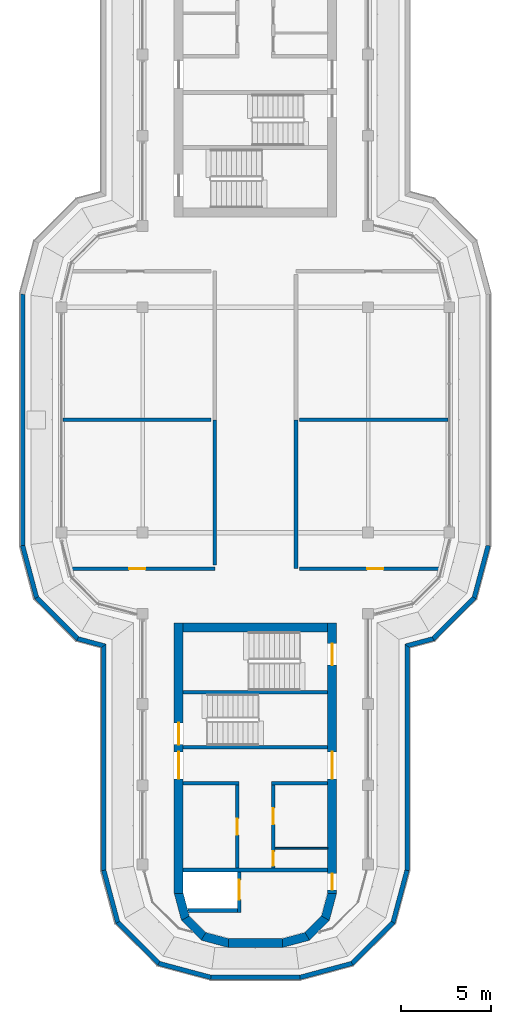
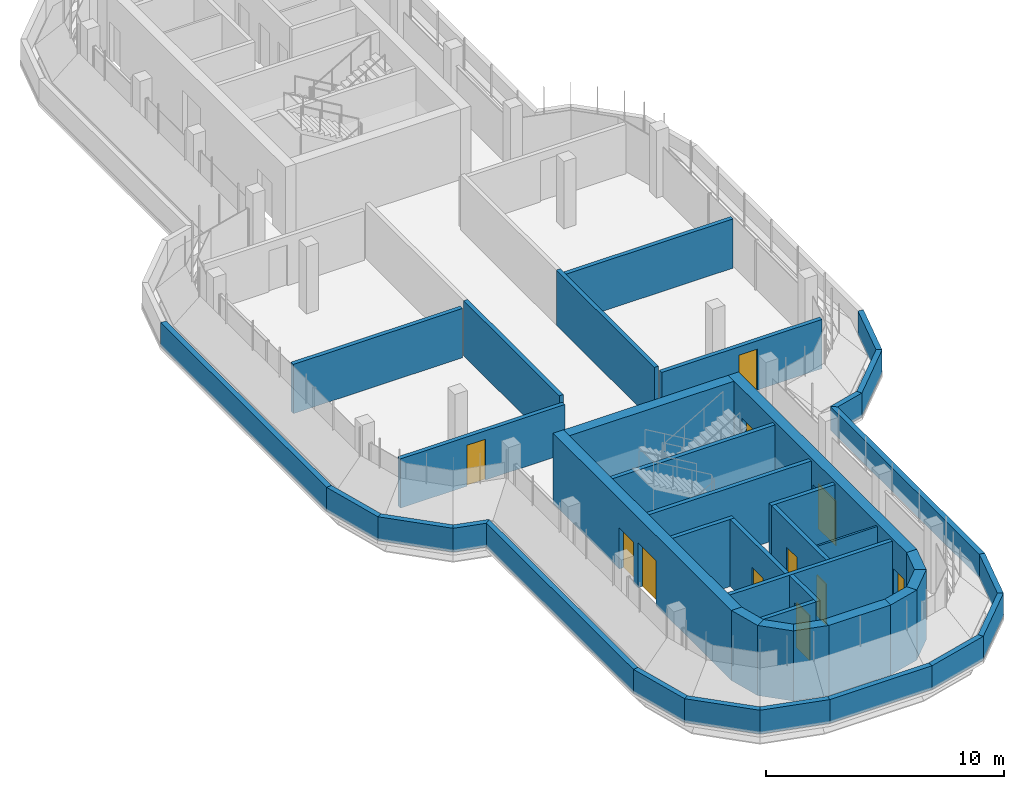
# One storey, part 8 of 13: 42 walls, 11 doors, 11 openings.
"""IFC4 building model written with IfcOpenShell, lengths in metres."""

from ifc_helpers import new_model, si_unit, direction, frame, frame_2d, origin, place, context, subcontext, project, spatial, polyline, rectangle, outline, extrude, material, layer, layer_set, type_object, element, fill, save


model = new_model("IFC4")

# Units and contexts
model_context = context("Model", 3, precision=1e-05, world=origin(), true_north=direction((0.0, 1.0)))
body_context = subcontext(model_context, "Body", "Model", "MODEL_VIEW")
ifc_project = project(units=[si_unit("LENGTHUNIT", "METRE"), si_unit("AREAUNIT", "SQUARE_METRE"), si_unit("VOLUMEUNIT", "CUBIC_METRE"), si_unit("PLANEANGLEUNIT", "RADIAN"), si_unit("MASSUNIT", "GRAM", prefix="KILO")], contexts=[model_context])

# Site, building, storey
site_placement = place(None, origin())
site = spatial("IfcSite", under=ifc_project, at=site_placement, CompositionType="ELEMENT")
building_placement = place(site_placement, origin())
building = spatial("IfcBuilding", under=site, at=building_placement, Name="Zarbagh Exchange Tower", CompositionType="ELEMENT")
storey_placement = place(building_placement, frame((0.0, 0.0, 302.39990234375)))
storey = spatial("IfcBuildingStorey", under=building, at=storey_placement, Name="L74", CompositionType="ELEMENT", Elevation=302.39990234375)

# Walls
ifc_material_1 = material(Name="Dense blockwork", Category="masonry")
ifc_layer_1 = layer(ifc_material_1, 0.10009765625)
ifc_layer_set_1 = layer_set([ifc_layer_1], Name="Core partition 100 mm blockwork")
wall_type_1 = type_object("IfcWallType", Name="Core partition 100 mm blockwork", PredefinedType="PARTITIONING", material=ifc_layer_set_1)
wall_1_placement = place(storey_placement, frame((4.0, -23.75, 0.0), z_axis=(0.0, 0.0, 1.0), x_axis=(-1.0, 0.0, 0.0)))
element("IfcWall", 1, at=wall_1_placement, inside=storey, type_object=wall_type_1, Name="South core partition wall CUT-W-460", PredefinedType="PARTITIONING", context=body_context, shape_type="SweptSolid", body=[
    extrude(rectangle(XDim=2.89990234375, YDim=0.10009765625, at=frame_2d((1.449951171875, 0.0))), origin(), (0.0, 0.0, 1.0), 3.4501953125),
])
ifc_material_2 = material(Name="Concrete block partition", Category="concrete")
ifc_layer_2 = layer(ifc_material_2, 0.199951171875)
ifc_layer_set_2 = layer_set([ifc_layer_2], Name="Fire-rated block partition 200 EI 60")
wall_type_2 = type_object("IfcWallType", Name="Fire-rated block partition 200 EI 60", PredefinedType="PARTITIONING", material=ifc_layer_set_2)
wall_2_placement = place(storey_placement, frame((2.25, 0.0, 0.0), z_axis=(0.0, 0.0, 1.0), x_axis=(0.0, -1.0, 0.0)))
element("IfcWall", 2, at=wall_2_placement, inside=storey, type_object=wall_type_2, Name="WL-L74-W003", PredefinedType="PARTITIONING", context=body_context, shape_type="SweptSolid", body=[
    extrude(rectangle(XDim=8.25, YDim=0.199951171875, at=frame_2d((4.125, 0.0))), origin(), (0.0, 0.0, 1.0), 2.828125),
])

# Wall, opening, door
wall_3_placement = place(storey_placement, frame((2.449951171875, -8.25, 0.0), z_axis=(0.0, 0.0, 1.0), x_axis=(1.0, 0.0, 0.0)))
wall_3 = element("IfcWall", 3, at=wall_3_placement, inside=storey, type_object=wall_type_2, Name="WL-L74-W004", PredefinedType="PARTITIONING", context=body_context, shape_type="SweptSolid", body=[
    extrude(rectangle(XDim=7.7880859375, YDim=0.199951171875, at=frame_2d((3.89404296875, 0.0))), origin(), (0.0, 0.0, 1.0), 2.530029296875),
])
opening_1_placement = place(wall_3_placement, frame((3.7490234375, 0.0, 0.0)))
opening_1 = element("IfcOpeningElement", 4, at=opening_1_placement, cuts=wall_3, Name="Opening D02", PredefinedType="OPENING", context=body_context, shape_type="SweptSolid", body=[
    extrude(rectangle(XDim=0.89990234375, YDim=2.10009765625, at=frame_2d((0.449951171875, 1.050048828125))), frame((0.0, 0.10986328125, 0.0), z_axis=(0.0, -1.0, 0.0), x_axis=(1.0, 0.0, 0.0)), (0.0, 0.0, 1.0), 0.219970703125),
])
ifc_material_3 = material(Name="Steel door set", Category="steel")
door_type_1 = type_object("IfcDoorType", Name="Door single 900x2100 EI 60", OperationType="SINGLE_SWING_LEFT", PredefinedType="DOOR", material=ifc_material_3)
door_1_placement = place(opening_1_placement, origin())
door_1 = element("IfcDoor", 5, at=door_1_placement, inside=storey, type_object=door_type_1, Name="D02", OperationType="SINGLE_SWING_LEFT", OverallHeight=2.10009765625, OverallWidth=0.89990234375, PredefinedType="DOOR", context=body_context, shape_type="SweptSolid", body=[
    extrude(rectangle(XDim=0.89990234375, YDim=2.10009765625, at=frame_2d((0.449951171875, 1.050048828125))), frame((0.0, 0.02490234375, 0.0), z_axis=(0.0, -1.0, 0.0), x_axis=(1.0, 0.0, 0.0)), (0.0, 0.0, 1.0), 0.050048828125),
])
fill(opening_1, door_1)

wall_4_placement = place(storey_placement, frame((-10.238037109375, -8.25, 0.0), z_axis=(0.0, 0.0, 1.0), x_axis=(1.0, 0.0, 0.0)))
wall_4 = element("IfcWall", 6, at=wall_4_placement, inside=storey, type_object=wall_type_2, Name="WL-L74-W007", PredefinedType="PARTITIONING", context=body_context, shape_type="SweptSolid", body=[
    extrude(rectangle(XDim=7.988037109375, YDim=0.199951171875, at=frame_2d((3.994140625, 0.0))), origin(), (0.0, 0.0, 1.0), 2.530029296875),
])
opening_2_placement = place(wall_4_placement, frame((3.239013671875, 0.0, 0.0)))
opening_2 = element("IfcOpeningElement", 7, at=opening_2_placement, cuts=wall_4, Name="Opening D04", PredefinedType="OPENING", context=body_context, shape_type="SweptSolid", body=[
    extrude(rectangle(XDim=0.89990234375, YDim=2.10009765625, at=frame_2d((0.449951171875, 1.050048828125))), frame((0.0, 0.10986328125, 0.0), z_axis=(0.0, -1.0, 0.0), x_axis=(1.0, 0.0, 0.0)), (0.0, 0.0, 1.0), 0.219970703125),
])
door_2_placement = place(opening_2_placement, origin())
door_2 = element("IfcDoor", 8, at=door_2_placement, inside=storey, type_object=door_type_1, Name="D04", OperationType="SINGLE_SWING_LEFT", OverallHeight=2.10009765625, OverallWidth=0.89990234375, PredefinedType="DOOR", context=body_context, shape_type="SweptSolid", body=[
    extrude(rectangle(XDim=0.89990234375, YDim=2.10009765625, at=frame_2d((0.449951171875, 1.050048828125))), frame((0.0, 0.02490234375, 0.0), z_axis=(0.0, -1.0, 0.0), x_axis=(1.0, 0.0, 0.0)), (0.0, 0.0, 1.0), 0.050048828125),
])
fill(opening_2, door_2)

# Walls
wall_5_placement = place(storey_placement, frame((-2.25, -8.050048828125, 0.0), z_axis=(0.0, 0.0, 1.0), x_axis=(0.0, 1.0, 0.0)))
element("IfcWall", 9, at=wall_5_placement, inside=storey, type_object=wall_type_2, Name="WL-L74-W008", PredefinedType="PARTITIONING", context=body_context, shape_type="SweptSolid", body=[
    extrude(rectangle(XDim=8.050048828125, YDim=0.199951171875, at=frame_2d((4.02490234375, 0.0))), origin(), (0.0, 0.0, 1.0), 2.828125),
])
for number, where, z_axis, x_axis, name in (
    (10, (10.669921875, 0.0, 0.0), (0.0, 0.0, 1.0), (-1.0, 0.0, 0.0), "WL-L74-W009"),
    (11, (-2.449951171875, 0.0, 0.0), (0.0, 0.0, 1.0), (-1.0, 0.0, 0.0), "WL-L74-W010"),
):
    element("IfcWall", number, at=place(storey_placement, frame(where, z_axis=z_axis, x_axis=x_axis)), inside=storey, type_object=wall_type_2, Name=name, PredefinedType="PARTITIONING", context=body_context, shape_type="SweptSolid", body=[
        extrude(rectangle(XDim=8.219970703125, YDim=0.199951171875, at=frame_2d((4.10986328125, 0.0))), origin(), (0.0, 0.0, 1.0), 2.530029296875),
    ])
ifc_material_4 = material(Name="Concrete C40/50", Category="concrete")
ifc_layer_3 = layer(ifc_material_4, 0.25)
ifc_layer_set_3 = layer_set([ifc_layer_3], Name="Parapet wall, concrete C40/50")
wall_type_3 = type_object("IfcWallType", Name="Parapet wall, concrete C40/50", PredefinedType="PARAPET", material=ifc_layer_set_3)
wall_6_placement = place(storey_placement, origin())
element("IfcWall", 12, at=wall_6_placement, inside=storey, type_object=wall_type_3, Name="roof parapet", PredefinedType="PARAPET", context=body_context, shape_type="SweptSolid", body=[
    extrude(outline(polyline([(-2.484375, -31.030029296875), (-5.42138671875, -30.242919921875), (-5.2919921875, -30.018798828125), (-2.451416015625, -30.780029296875), (-2.484375, -31.030029296875)])), origin(), (0.0, 0.0, 1.0), 1.22021484375),
])
wall_7_placement = place(storey_placement, origin())
element("IfcWall", 13, at=wall_7_placement, inside=storey, type_object=wall_type_3, Name="roof parapet", PredefinedType="PARAPET", context=body_context, shape_type="SweptSolid", body=[
    extrude(outline(polyline([(-5.42138671875, -30.242919921875), (-7.742919921875, -27.92138671875), (-7.518798828125, -27.7919921875), (-5.2919921875, -30.018798828125), (-5.42138671875, -30.242919921875)])), origin(), (0.0, 0.0, 1.0), 1.22021484375),
])
wall_8_placement = place(storey_placement, origin())
element("IfcWall", 14, at=wall_8_placement, inside=storey, type_object=wall_type_3, Name="roof parapet", PredefinedType="PARAPET", context=body_context, shape_type="SweptSolid", body=[
    extrude(outline(polyline([(-7.742919921875, -27.92138671875), (-8.530029296875, -24.984375), (-8.280029296875, -24.951416015625), (-7.518798828125, -27.7919921875), (-7.742919921875, -27.92138671875)])), origin(), (0.0, 0.0, 1.0), 1.22021484375),
])
wall_9_placement = place(storey_placement, origin())
element("IfcWall", 15, at=wall_9_placement, inside=storey, type_object=wall_type_3, Name="roof parapet", PredefinedType="PARAPET", context=body_context, shape_type="SweptSolid", body=[
    extrude(outline(polyline([(-8.530029296875, -24.984375), (-8.530029296875, -12.61572265625), (-8.280029296875, -12.424072265625), (-8.280029296875, -24.951416015625), (-8.530029296875, -24.984375)])), origin(), (0.0, 0.0, 1.0), 1.22021484375),
])
wall_10_placement = place(storey_placement, origin())
element("IfcWall", 16, at=wall_10_placement, inside=storey, type_object=wall_type_3, Name="roof parapet", PredefinedType="PARAPET", context=body_context, shape_type="SweptSolid", body=[
    extrude(outline(polyline([(-8.530029296875, -12.61572265625), (-9.92138671875, -12.242919921875), (-9.7919921875, -12.018798828125), (-8.280029296875, -12.424072265625), (-8.530029296875, -12.61572265625)])), origin(), (0.0, 0.0, 1.0), 1.22021484375),
])
wall_11_placement = place(storey_placement, origin())
element("IfcWall", 17, at=wall_11_placement, inside=storey, type_object=wall_type_3, Name="roof parapet", PredefinedType="PARAPET", context=body_context, shape_type="SweptSolid", body=[
    extrude(outline(polyline([(-9.92138671875, -12.242919921875), (-12.242919921875, -9.92138671875), (-12.018798828125, -9.7919921875), (-9.7919921875, -12.018798828125), (-9.92138671875, -12.242919921875)])), origin(), (0.0, 0.0, 1.0), 1.22021484375),
])
wall_12_placement = place(storey_placement, origin())
element("IfcWall", 18, at=wall_12_placement, inside=storey, type_object=wall_type_3, Name="roof parapet", PredefinedType="PARAPET", context=body_context, shape_type="SweptSolid", body=[
    extrude(outline(polyline([(-12.242919921875, -9.92138671875), (-13.030029296875, -6.984375), (-12.780029296875, -6.951416015625), (-12.018798828125, -9.7919921875), (-12.242919921875, -9.92138671875)])), origin(), (0.0, 0.0, 1.0), 1.22021484375),
])
wall_13_placement = place(storey_placement, origin())
element("IfcWall", 19, at=wall_13_placement, inside=storey, type_object=wall_type_3, Name="roof parapet", PredefinedType="PARAPET", context=body_context, shape_type="SweptSolid", body=[
    extrude(outline(polyline([(-13.030029296875, -6.984375), (-13.030029296875, 6.984375), (-12.780029296875, 6.951416015625), (-12.780029296875, -6.951416015625), (-13.030029296875, -6.984375)])), origin(), (0.0, 0.0, 1.0), 1.22021484375),
])
wall_14_placement = place(storey_placement, origin())
element("IfcWall", 20, at=wall_14_placement, inside=storey, type_object=wall_type_3, Name="roof parapet", PredefinedType="PARAPET", context=body_context, shape_type="SweptSolid", body=[
    extrude(outline(polyline([(13.030029296875, -6.984375), (12.242919921875, -9.92138671875), (12.018798828125, -9.7919921875), (12.780029296875, -6.951416015625), (13.030029296875, -6.984375)])), origin(), (0.0, 0.0, 1.0), 1.22021484375),
])
wall_15_placement = place(storey_placement, origin())
element("IfcWall", 21, at=wall_15_placement, inside=storey, type_object=wall_type_3, Name="roof parapet", PredefinedType="PARAPET", context=body_context, shape_type="SweptSolid", body=[
    extrude(outline(polyline([(12.242919921875, -9.92138671875), (9.92138671875, -12.242919921875), (9.7919921875, -12.018798828125), (12.018798828125, -9.7919921875), (12.242919921875, -9.92138671875)])), origin(), (0.0, 0.0, 1.0), 1.22021484375),
])
wall_16_placement = place(storey_placement, origin())
element("IfcWall", 22, at=wall_16_placement, inside=storey, type_object=wall_type_3, Name="roof parapet", PredefinedType="PARAPET", context=body_context, shape_type="SweptSolid", body=[
    extrude(outline(polyline([(9.92138671875, -12.242919921875), (8.530029296875, -12.61572265625), (8.280029296875, -12.424072265625), (9.7919921875, -12.018798828125), (9.92138671875, -12.242919921875)])), origin(), (0.0, 0.0, 1.0), 1.22021484375),
])
wall_17_placement = place(storey_placement, origin())
element("IfcWall", 23, at=wall_17_placement, inside=storey, type_object=wall_type_3, Name="roof parapet", PredefinedType="PARAPET", context=body_context, shape_type="SweptSolid", body=[
    extrude(outline(polyline([(8.530029296875, -12.61572265625), (8.530029296875, -24.984375), (8.280029296875, -24.951416015625), (8.280029296875, -12.424072265625), (8.530029296875, -12.61572265625)])), origin(), (0.0, 0.0, 1.0), 1.22021484375),
])
wall_18_placement = place(storey_placement, origin())
element("IfcWall", 24, at=wall_18_placement, inside=storey, type_object=wall_type_3, Name="roof parapet", PredefinedType="PARAPET", context=body_context, shape_type="SweptSolid", body=[
    extrude(outline(polyline([(8.530029296875, -24.984375), (7.742919921875, -27.92138671875), (7.518798828125, -27.7919921875), (8.280029296875, -24.951416015625), (8.530029296875, -24.984375)])), origin(), (0.0, 0.0, 1.0), 1.22021484375),
])
wall_19_placement = place(storey_placement, origin())
element("IfcWall", 25, at=wall_19_placement, inside=storey, type_object=wall_type_3, Name="roof parapet", PredefinedType="PARAPET", context=body_context, shape_type="SweptSolid", body=[
    extrude(outline(polyline([(7.742919921875, -27.92138671875), (5.42138671875, -30.242919921875), (5.2919921875, -30.018798828125), (7.518798828125, -27.7919921875), (7.742919921875, -27.92138671875)])), origin(), (0.0, 0.0, 1.0), 1.22021484375),
])
wall_20_placement = place(storey_placement, origin())
element("IfcWall", 26, at=wall_20_placement, inside=storey, type_object=wall_type_3, Name="roof parapet", PredefinedType="PARAPET", context=body_context, shape_type="SweptSolid", body=[
    extrude(outline(polyline([(5.42138671875, -30.242919921875), (2.484375, -31.030029296875), (2.451416015625, -30.780029296875), (5.2919921875, -30.018798828125), (5.42138671875, -30.242919921875)])), origin(), (0.0, 0.0, 1.0), 1.22021484375),
])
wall_21_placement = place(storey_placement, origin())
element("IfcWall", 27, at=wall_21_placement, inside=storey, type_object=wall_type_3, Name="roof parapet", PredefinedType="PARAPET", context=body_context, shape_type="SweptSolid", body=[
    extrude(outline(polyline([(2.484375, -31.030029296875), (-2.484375, -31.030029296875), (-2.451416015625, -30.780029296875), (2.451416015625, -30.780029296875), (2.484375, -31.030029296875)])), origin(), (0.0, 0.0, 1.0), 1.22021484375),
])
ifc_layer_4 = layer(ifc_material_4, 0.5)
ifc_layer_set_4 = layer_set([ifc_layer_4], Name="RC core corner wall 500 C40/50")
wall_type_4 = type_object("IfcWallType", Name="RC core corner wall 500 C40/50", PredefinedType="SHEAR", material=ifc_layer_set_4)
wall_22_placement = place(storey_placement, origin())
element("IfcWall", 28, at=wall_22_placement, inside=storey, type_object=wall_type_4, Name="CW10 core S corner W", PredefinedType="SHEAR", context=body_context, shape_type="SweptSolid", body=[
    extrude(outline(polyline([(-4.5, -26.25), (-4.09814453125, -27.75), (-3.6650390625, -27.5), (-4.0, -26.25), (-4.5, -26.25)])), origin(), (0.0, 0.0, 1.0), 3.60009765625),
])
wall_23_placement = place(storey_placement, origin())
element("IfcWall", 29, at=wall_23_placement, inside=storey, type_object=wall_type_4, Name="CW10 core S corner W", PredefinedType="SHEAR", context=body_context, shape_type="SweptSolid", body=[
    extrude(outline(polyline([(-4.09814453125, -27.75), (-3.0, -28.84814453125), (-2.75, -28.4150390625), (-3.6650390625, -27.5), (-4.09814453125, -27.75)])), origin(), (0.0, 0.0, 1.0), 3.60009765625),
])
wall_24_placement = place(storey_placement, origin())
element("IfcWall", 30, at=wall_24_placement, inside=storey, type_object=wall_type_4, Name="CW10 core S corner W", PredefinedType="SHEAR", context=body_context, shape_type="SweptSolid", body=[
    extrude(outline(polyline([(-3.0, -28.84814453125), (-1.5, -29.25), (-1.5, -28.75), (-2.75, -28.4150390625), (-3.0, -28.84814453125)])), origin(), (0.0, 0.0, 1.0), 3.60009765625),
])
wall_25_placement = place(storey_placement, origin())
element("IfcWall", 31, at=wall_25_placement, inside=storey, type_object=wall_type_4, Name="CW10 core S corner E", PredefinedType="SHEAR", context=body_context, shape_type="SweptSolid", body=[
    extrude(outline(polyline([(4.5, -26.25), (4.09814453125, -27.75), (3.6650390625, -27.5), (4.0, -26.25), (4.5, -26.25)])), origin(), (0.0, 0.0, 1.0), 3.60009765625),
])
wall_26_placement = place(storey_placement, origin())
element("IfcWall", 32, at=wall_26_placement, inside=storey, type_object=wall_type_4, Name="CW10 core S corner E", PredefinedType="SHEAR", context=body_context, shape_type="SweptSolid", body=[
    extrude(outline(polyline([(4.09814453125, -27.75), (3.0, -28.84814453125), (2.75, -28.4150390625), (3.6650390625, -27.5), (4.09814453125, -27.75)])), origin(), (0.0, 0.0, 1.0), 3.60009765625),
])
wall_27_placement = place(storey_placement, origin())
element("IfcWall", 33, at=wall_27_placement, inside=storey, type_object=wall_type_4, Name="CW10 core S corner E", PredefinedType="SHEAR", context=body_context, shape_type="SweptSolid", body=[
    extrude(outline(polyline([(3.0, -28.84814453125), (1.5, -29.25), (1.5, -28.75), (2.75, -28.4150390625), (3.0, -28.84814453125)])), origin(), (0.0, 0.0, 1.0), 3.60009765625),
])

# Wall, openings, doors
ifc_layer_5 = layer(ifc_material_4, 0.5)
ifc_layer_set_5 = layer_set([ifc_layer_5], Name="RC core wall 500 C40/50")
wall_type_5 = type_object("IfcWallType", Name="RC core wall 500 C40/50", PredefinedType="SHEAR", material=ifc_layer_set_5)
wall_28_placement = place(storey_placement, frame((-4.25, -11.25, 0.0), z_axis=(0.0, 0.0, 1.0), x_axis=(0.0, -1.0, 0.0)))
wall_28 = element("IfcWall", 34, at=wall_28_placement, inside=storey, type_object=wall_type_5, Name="CW9 core S W", PredefinedType="SHEAR", context=body_context, shape_type="SweptSolid", body=[
    extrude(rectangle(XDim=15.0, YDim=0.5, at=frame_2d((7.5, 0.0))), origin(), (0.0, 0.0, 1.0), 3.60009765625),
])
opening_3_placement = place(wall_28_placement, frame((7.14990234375, 0.0, 0.0)))
opening_3 = element("IfcOpeningElement", 35, at=opening_3_placement, cuts=wall_28, Name="Opening CD1-1500", PredefinedType="OPENING", context=body_context, shape_type="SweptSolid", body=[
    extrude(rectangle(XDim=1.5, YDim=2.300048828125, at=frame_2d((0.75, 1.14990234375))), frame((0.0, 0.260009765625, 0.0), z_axis=(0.0, -1.0, 0.0), x_axis=(1.0, 0.0, 0.0)), (0.0, 0.0, 1.0), 0.52001953125),
])
opening_4_placement = place(wall_28_placement, frame((5.550048828125, 0.0, 0.0)))
opening_4 = element("IfcOpeningElement", 36, at=opening_4_placement, cuts=wall_28, Name="Opening SD1-1200", PredefinedType="OPENING", context=body_context, shape_type="SweptSolid", body=[
    extrude(rectangle(XDim=1.199951171875, YDim=2.10009765625, at=frame_2d((0.60009765625, 1.050048828125))), frame((0.0, 0.260009765625, 0.0), z_axis=(0.0, -1.0, 0.0), x_axis=(1.0, 0.0, 0.0)), (0.0, 0.0, 1.0), 0.52001953125),
])
ifc_material_5 = material(Name="Steel", Category="steel")
door_type_2 = type_object("IfcDoorType", Name="Exit stair door 1200 x 2100", OperationType="NOTDEFINED", PredefinedType="DOOR", material=ifc_material_5)
door_3_placement = place(opening_4_placement, origin())
door_3 = element("IfcDoor", 37, at=door_3_placement, inside=storey, type_object=door_type_2, Name="South core stair door ST1", OperationType="SINGLE_SWING_LEFT", OverallHeight=2.10009765625, OverallWidth=1.199951171875, PredefinedType="DOOR", context=body_context, shape_type="SweptSolid", body=[
    extrude(rectangle(XDim=1.199951171875, YDim=2.10009765625, at=frame_2d((0.60009765625, 1.050048828125))), frame((0.0, 0.02490234375, 0.0), z_axis=(0.0, -1.0, 0.0), x_axis=(1.0, 0.0, 0.0)), (0.0, 0.0, 1.0), 0.050048828125),
])
fill(opening_4, door_3)
door_type_3 = type_object("IfcDoorType", Name="Lift lobby double door 1500 x 2300", OperationType="NOTDEFINED", PredefinedType="DOOR", material=ifc_material_5)
door_4_placement = place(opening_3_placement, origin())
door_4 = element("IfcDoor", 38, at=door_4_placement, inside=storey, type_object=door_type_3, Name="South core lift lobby door LOBBY-E", OperationType="DOUBLE_DOOR_SINGLE_SWING", OverallHeight=2.300048828125, OverallWidth=1.5, PredefinedType="DOOR", context=body_context, shape_type="SweptSolid", body=[
    extrude(rectangle(XDim=1.5, YDim=2.300048828125, at=frame_2d((0.75, 1.14990234375))), frame((0.0, 0.02490234375, 0.0), z_axis=(0.0, -1.0, 0.0), x_axis=(1.0, 0.0, 0.0)), (0.0, 0.0, 1.0), 0.050048828125),
])
fill(opening_3, door_4)

wall_29_placement = place(storey_placement, frame((4.25, -11.25, 0.0), z_axis=(0.0, 0.0, 1.0), x_axis=(0.0, -1.0, 0.0)))
wall_29 = element("IfcWall", 39, at=wall_29_placement, inside=storey, type_object=wall_type_5, Name="CW9 core S E", PredefinedType="SHEAR", context=body_context, shape_type="SweptSolid", body=[
    extrude(rectangle(XDim=15.0, YDim=0.5, at=frame_2d((7.5, 0.0))), origin(), (0.0, 0.0, 1.0), 3.60009765625),
])
opening_5_placement = place(wall_29_placement, frame((7.14990234375, 0.0, 0.0)))
opening_5 = element("IfcOpeningElement", 40, at=opening_5_placement, cuts=wall_29, Name="Opening CD1-1500", PredefinedType="OPENING", context=body_context, shape_type="SweptSolid", body=[
    extrude(rectangle(XDim=1.5, YDim=2.300048828125, at=frame_2d((0.75, 1.14990234375))), frame((0.0, 0.260009765625, 0.0), z_axis=(0.0, -1.0, 0.0), x_axis=(1.0, 0.0, 0.0)), (0.0, 0.0, 1.0), 0.52001953125),
])
opening_6_placement = place(wall_29_placement, frame((13.89990234375, 0.0, 0.0)))
opening_6 = element("IfcOpeningElement", 41, at=opening_6_placement, cuts=wall_29, Name="Opening CD2-900", PredefinedType="OPENING", context=body_context, shape_type="SweptSolid", body=[
    extrude(rectangle(XDim=0.89990234375, YDim=2.10009765625, at=frame_2d((0.449951171875, 1.050048828125))), frame((0.0, 0.260009765625, 0.0), z_axis=(0.0, -1.0, 0.0), x_axis=(1.0, 0.0, 0.0)), (0.0, 0.0, 1.0), 0.52001953125),
])
opening_7_placement = place(wall_29_placement, frame((1.14990234375, 0.0, 0.0)))
opening_7 = element("IfcOpeningElement", 42, at=opening_7_placement, cuts=wall_29, Name="Opening SD1-1200", PredefinedType="OPENING", context=body_context, shape_type="SweptSolid", body=[
    extrude(rectangle(XDim=1.199951171875, YDim=2.10009765625, at=frame_2d((0.60009765625, 1.050048828125))), frame((0.0, 0.260009765625, 0.0), z_axis=(0.0, -1.0, 0.0), x_axis=(1.0, 0.0, 0.0)), (0.0, 0.0, 1.0), 0.52001953125),
])
door_5_placement = place(opening_7_placement, origin())
door_5 = element("IfcDoor", 43, at=door_5_placement, inside=storey, type_object=door_type_2, Name="South core stair door ST2", OperationType="SINGLE_SWING_RIGHT", OverallHeight=2.10009765625, OverallWidth=1.199951171875, PredefinedType="DOOR", context=body_context, shape_type="SweptSolid", body=[
    extrude(rectangle(XDim=1.199951171875, YDim=2.10009765625, at=frame_2d((0.60009765625, 1.050048828125))), frame((0.0, 0.02490234375, 0.0), z_axis=(0.0, -1.0, 0.0), x_axis=(1.0, 0.0, 0.0)), (0.0, 0.0, 1.0), 0.050048828125),
])
fill(opening_7, door_5)
door_type_4 = type_object("IfcDoorType", Name="Firefighting lobby door 900 x 2100", OperationType="NOTDEFINED", PredefinedType="DOOR", material=ifc_material_5)
door_6_placement = place(opening_6_placement, origin())
door_6 = element("IfcDoor", 44, at=door_6_placement, inside=storey, type_object=door_type_4, Name="South core firefighting lobby door FF-W", OperationType="SINGLE_SWING_RIGHT", OverallHeight=2.10009765625, OverallWidth=0.89990234375, PredefinedType="DOOR", context=body_context, shape_type="SweptSolid", body=[
    extrude(rectangle(XDim=0.89990234375, YDim=2.10009765625, at=frame_2d((0.449951171875, 1.050048828125))), frame((0.0, 0.02490234375, 0.0), z_axis=(0.0, -1.0, 0.0), x_axis=(1.0, 0.0, 0.0)), (0.0, 0.0, 1.0), 0.050048828125),
])
fill(opening_6, door_6)
door_7_placement = place(opening_5_placement, origin())
door_7 = element("IfcDoor", 45, at=door_7_placement, inside=storey, type_object=door_type_3, Name="South core lift lobby door LOBBY-W", OperationType="DOUBLE_DOOR_SINGLE_SWING", OverallHeight=2.300048828125, OverallWidth=1.5, PredefinedType="DOOR", context=body_context, shape_type="SweptSolid", body=[
    extrude(rectangle(XDim=1.5, YDim=2.300048828125, at=frame_2d((0.75, 1.14990234375))), frame((0.0, 0.02490234375, 0.0), z_axis=(0.0, -1.0, 0.0), x_axis=(1.0, 0.0, 0.0)), (0.0, 0.0, 1.0), 0.050048828125),
])
fill(opening_5, door_7)

# Walls
wall_30_placement = place(storey_placement, frame((-4.0, -11.5, 0.0), z_axis=(0.0, 0.0, 1.0), x_axis=(1.0, 0.0, 0.0)))
element("IfcWall", 46, at=wall_30_placement, inside=storey, type_object=wall_type_5, Name="CW9 core S inner end", PredefinedType="SHEAR", context=body_context, shape_type="SweptSolid", body=[
    extrude(rectangle(XDim=8.0, YDim=0.5, at=frame_2d((4.0, 0.0))), origin(), (0.0, 0.0, 1.0), 3.60009765625),
])
wall_31_placement = place(storey_placement, frame((-1.5, -29.0, 0.0), z_axis=(0.0, 0.0, 1.0), x_axis=(1.0, 0.0, 0.0)))
element("IfcWall", 47, at=wall_31_placement, inside=storey, type_object=wall_type_5, Name="CW9 core S outer end", PredefinedType="SHEAR", context=body_context, shape_type="SweptSolid", body=[
    extrude(rectangle(XDim=3.0, YDim=0.5, at=frame_2d((1.5, 0.0))), origin(), (0.0, 0.0, 1.0), 3.60009765625),
])
ifc_layer_6 = layer(ifc_material_1, 0.199951171875)
ifc_layer_set_6 = layer_set([ifc_layer_6], Name="Shaft wall 200 mm blockwork")
wall_type_6 = type_object("IfcWallType", Name="Shaft wall 200 mm blockwork", PredefinedType="PARTITIONING", material=ifc_layer_set_6)
wall_32_placement = place(storey_placement, frame((4.0, -20.14990234375, 0.0), z_axis=(0.0, 0.0, 1.0), x_axis=(-1.0, 0.0, 0.0)))
element("IfcWall", 48, at=wall_32_placement, inside=storey, type_object=wall_type_6, Name="South core shaft wall AB-W", PredefinedType="PARTITIONING", context=body_context, shape_type="SweptSolid", body=[
    extrude(rectangle(XDim=3.10009765625, YDim=0.199951171875, at=frame_2d((1.550048828125, 0.0))), origin(), (0.0, 0.0, 1.0), 3.4501953125),
])

# Wall, openings, doors
wall_33_placement = place(storey_placement, frame((1.0, -24.85009765625, 0.0), z_axis=(0.0, 0.0, 1.0), x_axis=(0.0, 1.0, 0.0)))
wall_33 = element("IfcWall", 49, at=wall_33_placement, inside=storey, type_object=wall_type_6, Name="South core shaft wall LW-W", PredefinedType="PARTITIONING", context=body_context, shape_type="SweptSolid", body=[
    extrude(rectangle(XDim=4.60009765625, YDim=0.199951171875, at=frame_2d((2.300048828125, 0.0))), origin(), (0.0, 0.0, 1.0), 3.4501953125),
])
opening_8_placement = place(wall_33_placement, frame((0.125, 0.0, 0.0)))
opening_8 = element("IfcOpeningElement", 50, at=opening_8_placement, cuts=wall_33, Name="Opening CD3-800", PredefinedType="OPENING", context=body_context, shape_type="SweptSolid", body=[
    extrude(rectangle(XDim=0.800048828125, YDim=2.10009765625, at=frame_2d((0.39990234375, 1.050048828125))), frame((0.0, 0.10986328125, 0.0), z_axis=(0.0, -1.0, 0.0), x_axis=(1.0, 0.0, 0.0)), (0.0, 0.0, 1.0), 0.219970703125),
])
opening_9_placement = place(wall_33_placement, frame((2.425048828125, 0.0, 0.0)))
opening_9 = element("IfcOpeningElement", 51, at=opening_9_placement, cuts=wall_33, Name="Opening CD3-900", PredefinedType="OPENING", context=body_context, shape_type="SweptSolid", body=[
    extrude(rectangle(XDim=0.89990234375, YDim=2.10009765625, at=frame_2d((0.449951171875, 1.050048828125))), frame((0.0, 0.10986328125, 0.0), z_axis=(0.0, -1.0, 0.0), x_axis=(1.0, 0.0, 0.0)), (0.0, 0.0, 1.0), 0.219970703125),
])
door_type_5 = type_object("IfcDoorType", Name="Core room door 800 x 2100", OperationType="NOTDEFINED", PredefinedType="DOOR", material=ifc_material_5)
door_8_placement = place(opening_8_placement, origin())
door_8 = element("IfcDoor", 52, at=door_8_placement, inside=storey, type_object=door_type_5, Name="South core Plant room door RD-W-0", OperationType="SINGLE_SWING_LEFT", OverallHeight=2.10009765625, OverallWidth=0.800048828125, PredefinedType="DOOR", context=body_context, shape_type="SweptSolid", body=[
    extrude(rectangle(XDim=0.800048828125, YDim=2.10009765625, at=frame_2d((0.39990234375, 1.050048828125))), frame((0.0, 0.02490234375, 0.0), z_axis=(0.0, -1.0, 0.0), x_axis=(1.0, 0.0, 0.0)), (0.0, 0.0, 1.0), 0.050048828125),
])
fill(opening_8, door_8)
door_type_6 = type_object("IfcDoorType", Name="Core room door 900 x 2100", OperationType="NOTDEFINED", PredefinedType="DOOR", material=ifc_material_5)
door_9_placement = place(opening_9_placement, origin())
door_9 = element("IfcDoor", 53, at=door_9_placement, inside=storey, type_object=door_type_6, Name="South core Mechanical store door RD-W-1", OperationType="SINGLE_SWING_LEFT", OverallHeight=2.10009765625, OverallWidth=0.89990234375, PredefinedType="DOOR", context=body_context, shape_type="SweptSolid", body=[
    extrude(rectangle(XDim=0.89990234375, YDim=2.10009765625, at=frame_2d((0.449951171875, 1.050048828125))), frame((0.0, 0.02490234375, 0.0), z_axis=(0.0, -1.0, 0.0), x_axis=(1.0, 0.0, 0.0)), (0.0, 0.0, 1.0), 0.050048828125),
])
fill(opening_9, door_9)

# Wall
wall_34_placement = place(storey_placement, frame((-0.89990234375, -20.14990234375, 0.0), z_axis=(0.0, 0.0, 1.0), x_axis=(-1.0, 0.0, 0.0)))
element("IfcWall", 54, at=wall_34_placement, inside=storey, type_object=wall_type_6, Name="South core shaft wall AB-E", PredefinedType="PARTITIONING", context=body_context, shape_type="SweptSolid", body=[
    extrude(rectangle(XDim=3.10009765625, YDim=0.199951171875, at=frame_2d((1.550048828125, 0.0))), origin(), (0.0, 0.0, 1.0), 3.4501953125),
])

# Wall, opening, door
wall_35_placement = place(storey_placement, frame((-1.0, -24.85009765625, 0.0), z_axis=(0.0, 0.0, 1.0), x_axis=(0.0, 1.0, 0.0)))
wall_35 = element("IfcWall", 55, at=wall_35_placement, inside=storey, type_object=wall_type_6, Name="South core shaft wall LW-E", PredefinedType="PARTITIONING", context=body_context, shape_type="SweptSolid", body=[
    extrude(rectangle(XDim=4.60009765625, YDim=0.199951171875, at=frame_2d((2.300048828125, 0.0))), origin(), (0.0, 0.0, 1.0), 3.4501953125),
])
opening_10_placement = place(wall_35_placement, frame((1.85009765625, 0.0, 0.0)))
opening_10 = element("IfcOpeningElement", 56, at=opening_10_placement, cuts=wall_35, Name="Opening CD3-900", PredefinedType="OPENING", context=body_context, shape_type="SweptSolid", body=[
    extrude(rectangle(XDim=0.89990234375, YDim=2.10009765625, at=frame_2d((0.449951171875, 1.050048828125))), frame((0.0, 0.10986328125, 0.0), z_axis=(0.0, -1.0, 0.0), x_axis=(1.0, 0.0, 0.0)), (0.0, 0.0, 1.0), 0.219970703125),
])
door_10_placement = place(opening_10_placement, origin())
door_10 = element("IfcDoor", 57, at=door_10_placement, inside=storey, type_object=door_type_6, Name="South core Plant room door RD-E-0", OperationType="SINGLE_SWING_LEFT", OverallHeight=2.10009765625, OverallWidth=0.89990234375, PredefinedType="DOOR", context=body_context, shape_type="SweptSolid", body=[
    extrude(rectangle(XDim=0.89990234375, YDim=2.10009765625, at=frame_2d((0.449951171875, 1.050048828125))), frame((0.0, 0.02490234375, 0.0), z_axis=(0.0, -1.0, 0.0), x_axis=(1.0, 0.0, 0.0)), (0.0, 0.0, 1.0), 0.050048828125),
])
fill(opening_10, door_10)

# Wall
ifc_layer_7 = layer(ifc_material_4, 0.199951171875)
ifc_layer_set_7 = layer_set([ifc_layer_7], Name="Stair enclosure wall 200 mm RC C40/50")
wall_type_7 = type_object("IfcWallType", Name="Stair enclosure wall 200 mm RC C40/50", PredefinedType="SHEAR", material=ifc_layer_set_7)
wall_36_placement = place(storey_placement, frame((4.0, -24.949951171875, 0.0), z_axis=(0.0, 0.0, 1.0), x_axis=(-1.0, 0.0, 0.0)))
element("IfcWall", 58, at=wall_36_placement, inside=storey, type_object=wall_type_7, Name="South core lift shaft wall FFA", PredefinedType="SHEAR", context=body_context, shape_type="SweptSolid", body=[
    extrude(rectangle(XDim=8.0, YDim=0.199951171875, at=frame_2d((4.0, 0.0))), origin(), (0.0, 0.0, 1.0), 3.4501953125),
])

# Wall, opening, door
wall_37_placement = place(storey_placement, frame((-0.89990234375, -27.300048828125, 0.0), z_axis=(0.0, 0.0, 1.0), x_axis=(0.0, 1.0, 0.0)))
wall_37 = element("IfcWall", 59, at=wall_37_placement, inside=storey, type_object=wall_type_7, Name="South core lift shaft wall FFL", PredefinedType="SHEAR", context=body_context, shape_type="SweptSolid", body=[
    extrude(rectangle(XDim=2.25, YDim=0.199951171875, at=frame_2d((1.125, 0.0))), origin(), (0.0, 0.0, 1.0), 3.4501953125),
])
opening_11_placement = place(wall_37_placement, frame((0.699951171875, 0.0, 0.0)))
opening_11 = element("IfcOpeningElement", 60, at=opening_11_placement, cuts=wall_37, Name="Opening LD-1100", PredefinedType="OPENING", context=body_context, shape_type="SweptSolid", body=[
    extrude(rectangle(XDim=1.10009765625, YDim=2.300048828125, at=frame_2d((0.550048828125, 1.14990234375))), frame((0.0, 0.10986328125, 0.0), z_axis=(0.0, -1.0, 0.0), x_axis=(1.0, 0.0, 0.0)), (0.0, 0.0, 1.0), 0.219970703125),
])
ifc_material_6 = material(Name="Stainless steel", Category="steel")
door_type_7 = type_object("IfcDoorType", Name="Lift landing door 1100 x 2300", OperationType="NOTDEFINED", PredefinedType="DOOR", material=ifc_material_6)
door_11_placement = place(opening_11_placement, origin())
door_11 = element("IfcDoor", 61, at=door_11_placement, inside=storey, type_object=door_type_7, Name="South core lift landing door LD-F", OperationType="DOUBLE_DOOR_SLIDING", OverallHeight=2.300048828125, OverallWidth=1.10009765625, PredefinedType="DOOR", context=body_context, shape_type="SweptSolid", body=[
    extrude(rectangle(XDim=1.10009765625, YDim=2.300048828125, at=frame_2d((0.550048828125, 1.14990234375))), frame((0.0, 0.02490234375, 0.0), z_axis=(0.0, -1.0, 0.0), x_axis=(1.0, 0.0, 0.0)), (0.0, 0.0, 1.0), 0.050048828125),
])
fill(opening_11, door_11)

# Walls
wall_38_placement = place(storey_placement, origin())
element("IfcWall", 62, at=wall_38_placement, inside=storey, type_object=wall_type_7, Name="South core lift shaft wall FFX", PredefinedType="SHEAR", context=body_context, shape_type="SweptSolid", body=[
    extrude(outline(polyline([(-1.0, -27.10009765625), (-3.754638671875, -27.10009765625), (-3.700927734375, -27.300048828125), (-1.0, -27.300048828125), (-1.0, -27.10009765625)])), origin(), (0.0, 0.0, 1.0), 3.4501953125),
])
for number, where, z_axis, x_axis, name in (
    (63, (4.0, -18.14990234375, 0.0), (0.0, 0.0, 1.0), (-1.0, 0.0, 0.0), "South core stair wall BS"),
    (64, (4.0, -15.10009765625, 0.0), (0.0, 0.0, 1.0), (-1.0, 0.0, 0.0), "South core stair wall ST12"),
):
    element("IfcWall", number, at=place(storey_placement, frame(where, z_axis=z_axis, x_axis=x_axis)), inside=storey, type_object=wall_type_7, Name=name, PredefinedType="SHEAR", context=body_context, shape_type="SweptSolid", body=[
        extrude(rectangle(XDim=8.0, YDim=0.199951171875, at=frame_2d((4.0, 0.0))), origin(), (0.0, 0.0, 1.0), 3.4501953125),
    ])

save(model, "model.ifc")
